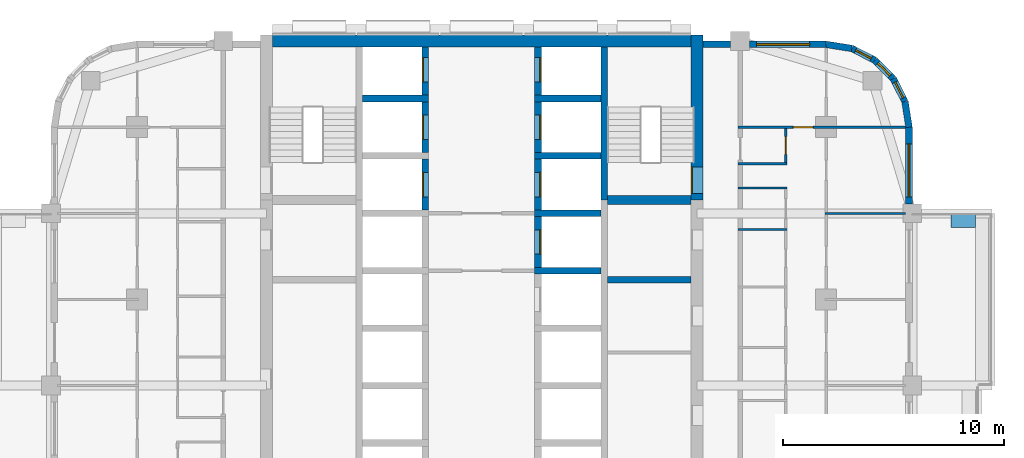
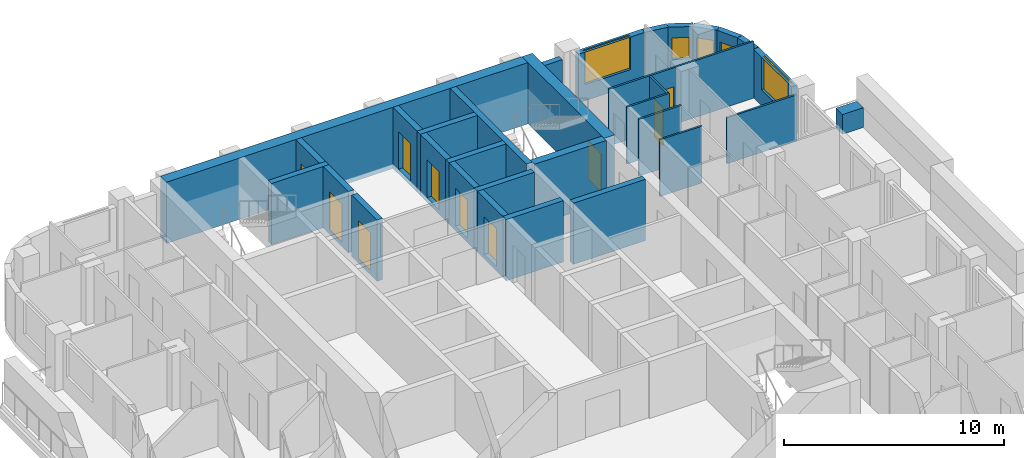
# One storey, part 8 of 12: 32 walls, 10 doors, 5 windows, 15 openings.
"""IFC4 building model written with IfcOpenShell, lengths in metres."""

from ifc_helpers import new_model, si_unit, direction, frame, frame_2d, origin, place, context, subcontext, project, spatial, rectangle, extrude, material, layer, layer_set, type_object, element, fill, save


model = new_model("IFC4")

# Units and contexts
model_context = context("Model", 3, precision=1e-05, world=origin(), true_north=direction((0.0, 1.0)))
body_context = subcontext(model_context, "Body", "Model", "MODEL_VIEW")
ifc_project = project(units=[si_unit("LENGTHUNIT", "METRE"), si_unit("AREAUNIT", "SQUARE_METRE"), si_unit("VOLUMEUNIT", "CUBIC_METRE"), si_unit("PLANEANGLEUNIT", "RADIAN"), si_unit("MASSUNIT", "GRAM", prefix="KILO")], contexts=[model_context])

# Site, building, storey
site_placement = place(None, origin())
site = spatial("IfcSite", under=ifc_project, at=site_placement, CompositionType="ELEMENT")
building_placement = place(site_placement, origin())
building = spatial("IfcBuilding", under=site, at=building_placement, Name="Ludao Terraces", CompositionType="ELEMENT")
storey_placement = place(building_placement, frame((0.0, 0.0, 137.300048828125)))
storey = spatial("IfcBuildingStorey", under=building, at=storey_placement, Name="L37", CompositionType="ELEMENT", Elevation=137.300048828125)

# Wall, opening, door
ifc_material_1 = material(Name="Concrete C60", Category="concrete")
ifc_layer_1 = layer(ifc_material_1, 0.550048828125)
ifc_layer_set_1 = layer_set([ifc_layer_1], Name="Core wall 550 C60")
wall_type_1 = type_object("IfcWallType", Name="Core wall 550 C60", PredefinedType="SOLIDWALL", material=ifc_layer_set_1)
wall_1_placement = place(storey_placement, frame((94.75, 77.300048828125, -0.25), z_axis=(0.0, 0.0, 1.0), x_axis=(0.0, 1.0, 0.0)))
wall_1 = element("IfcWall", 1, at=wall_1_placement, inside=storey, type_object=wall_type_1, Name="Core wall L37 outer-E-S2", PredefinedType="SOLIDWALL", context=body_context, shape_type="SweptSolid", body=[
    extrude(rectangle(XDim=7.474853515625, YDim=0.550048828125, at=frame_2d((3.7373046875, 0.0))), origin(), (0.0, 0.0, 1.0), 3.39990234375),
])
opening_1_placement = place(wall_1_placement, frame((0.300048828125, 0.0, 0.25)))
opening_1 = element("IfcOpeningElement", 2, at=opening_1_placement, cuts=wall_1, Name="Opening R12-065", PredefinedType="OPENING", context=body_context, shape_type="SweptSolid", body=[
    extrude(rectangle(XDim=1.199951171875, YDim=2.10009765625, at=frame_2d((0.60009765625, 1.050048828125))), frame((0.0, 0.28515625, 0.0), z_axis=(0.0, -1.0, 0.0), x_axis=(1.0, 0.0, 0.0)), (0.0, 0.0, 1.0), 0.570068359375),
])
ifc_material_2 = material(Name="Steel Q235", Category="steel")
door_type_1 = type_object("IfcDoorType", Name="INT Stair door 1200", OperationType="DOUBLE_DOOR_SINGLE_SWING", PredefinedType="DOOR", material=ifc_material_2)
door_1_placement = place(opening_1_placement, origin())
door_1 = element("IfcDoor", 3, at=door_1_placement, inside=storey, type_object=door_type_1, Name="DOOR 065", OperationType="DOUBLE_DOOR_SINGLE_SWING", OverallHeight=2.10009765625, OverallWidth=1.199951171875, PredefinedType="DOOR", context=body_context, shape_type="SweptSolid", body=[
    extrude(rectangle(XDim=1.199951171875, YDim=2.10009765625, at=frame_2d((0.60009765625, 1.050048828125))), frame((0.0, 0.26025390625, 0.0), z_axis=(0.0, -1.0, 0.0), x_axis=(1.0, 0.0, 0.0)), (0.0, 0.0, 1.0), 0.050048828125),
])
fill(opening_1, door_1)

# Walls
wall_2_placement = place(storey_placement, frame((75.52490234375, 84.5, -0.25), z_axis=(0.0, 0.0, 1.0), x_axis=(1.0, 0.0, 0.0)))
element("IfcWall", 4, at=wall_2_placement, inside=storey, type_object=wall_type_1, Name="Core wall L37 outer-N", PredefinedType="SOLIDWALL", context=body_context, shape_type="SweptSolid", body=[
    extrude(rectangle(XDim=18.9501953125, YDim=0.550048828125, at=frame_2d((9.47509765625, 0.0))), origin(), (0.0, 0.0, 1.0), 3.39990234375),
])
ifc_material_3 = material(Name="Concrete C40", Category="concrete")
ifc_layer_2 = layer(ifc_material_3, 0.60009765625)
ifc_layer_set_2 = layer_set([ifc_layer_2], Name="ENV Planter trough 600")
wall_type_2 = type_object("IfcWallType", Name="ENV Planter trough 600", PredefinedType="USERDEFINED", material=ifc_layer_set_2)
wall_3_placement = place(storey_placement, frame((107.35009765625, 76.35009765625, 0.0), z_axis=(0.0, 0.0, 1.0), x_axis=(-1.0, 0.0, 0.0)))
element("IfcWall", 5, at=wall_3_placement, inside=storey, type_object=wall_type_2, Name="PL-L37-E3-SB", ObjectType="PLANTER", PredefinedType="USERDEFINED", context=body_context, shape_type="SweptSolid", body=[
    extrude(rectangle(XDim=1.10009765625, YDim=0.60009765625, at=frame_2d((0.550048828125, 0.0))), origin(), (0.0, 0.0, 1.0), 1.099853515625),
])

# Wall, opening, window
ifc_material_4 = material(Name="Granite cladding", Category="masonry")
ifc_layer_3 = layer(ifc_material_4, 0.0400390625, Category="stone")
ifc_material_5 = material(Name="Mineral wool")
ifc_layer_4 = layer(ifc_material_5, 0.06005859375)
ifc_layer_5 = layer(ifc_material_3, 0.199951171875, Category="concrete")
ifc_layer_set_3 = layer_set([ifc_layer_3, ifc_layer_4, ifc_layer_5], Name="ENV Stone-clad wall 300")
wall_type_3 = type_object("IfcWallType", Name="ENV Stone-clad wall 300", PredefinedType="SOLIDWALL", material=ifc_layer_set_3)
wall_4_placement = place(storey_placement, frame((104.35009765625, 77.125, 0.0), z_axis=(0.0, 0.0, 1.0), x_axis=(0.0, 1.0, 0.0)))
wall_4 = element("IfcWall", 6, at=wall_4_placement, inside=storey, type_object=wall_type_3, Name="EW-L37-E5", PredefinedType="SOLIDWALL", context=body_context, shape_type="SweptSolid", body=[
    extrude(rectangle(XDim=3.47509765625, YDim=0.300048828125, at=frame_2d((1.737548828125, 0.0))), origin(), (0.0, 0.0, 1.0), 2.699951171875),
])
opening_2_placement = place(wall_4_placement, frame((0.324951171875, 0.0, 0.89990234375)))
opening_2 = element("IfcOpeningElement", 7, at=opening_2_placement, cuts=wall_4, Name="Opening W1", PredefinedType="OPENING", context=body_context, shape_type="SweptSolid", body=[
    extrude(rectangle(XDim=2.39990234375, YDim=1.800048828125, at=frame_2d((1.199951171875, 0.89990234375))), frame((0.0, 0.16015625, 0.0), z_axis=(0.0, -1.0, 0.0), x_axis=(1.0, 0.0, 0.0)), (0.0, 0.0, 1.0), 0.320068359375),
])
ifc_material_6 = material(Name="Clear glass in aluminium frame", Category="aluminium")
ifc_layer_6 = layer(ifc_material_6, 0.06005859375)
ifc_layer_set_4 = layer_set([ifc_layer_6], Name="ENV Window W1 2400x1800")
window_type_1 = type_object("IfcWindowType", Name="ENV Window W1 2400x1800", PartitioningType="DOUBLE_PANEL_VERTICAL", PredefinedType="WINDOW", material=ifc_layer_set_4)
window_1_placement = place(opening_2_placement, origin())
window_1 = element("IfcWindow", 8, at=window_1_placement, inside=storey, type_object=window_type_1, Name="W-L37-E5-1", OverallHeight=1.800048828125, OverallWidth=2.39990234375, PartitioningType="DOUBLE_PANEL_VERTICAL", PredefinedType="WINDOW", context=body_context, shape_type="SweptSolid", body=[
    extrude(rectangle(XDim=2.39990234375, YDim=1.800048828125, at=frame_2d((1.199951171875, 0.89990234375))), frame((0.0, 0.030029296875, 0.0), z_axis=(0.0, -1.0, 0.0), x_axis=(1.0, 0.0, 0.0)), (0.0, 0.0, 1.0), 0.06005859375),
])
fill(opening_2, window_1)

# Wall
wall_5_placement = place(storey_placement, frame((95.02490234375, 84.35009765625, 0.0), z_axis=(0.0, 0.0, 1.0), x_axis=(1.0, 0.0, 0.0)))
element("IfcWall", 9, at=wall_5_placement, inside=storey, type_object=wall_type_3, Name="EW-L37-N3", PredefinedType="SOLIDWALL", context=body_context, shape_type="SweptSolid", body=[
    extrude(rectangle(XDim=1.25, YDim=0.300048828125, at=frame_2d((0.625, 0.0))), origin(), (0.0, 0.0, 1.0), 2.699951171875),
])

# Wall, opening, window
wall_6_placement = place(storey_placement, frame((97.125, 84.35009765625, 0.0), z_axis=(0.0, 0.0, 1.0), x_axis=(1.0, 0.0, 0.0)))
wall_6 = element("IfcWall", 10, at=wall_6_placement, inside=storey, type_object=wall_type_3, Name="EW-L37-N4", PredefinedType="SOLIDWALL", context=body_context, shape_type="SweptSolid", body=[
    extrude(rectangle(XDim=3.47509765625, YDim=0.300048828125, at=frame_2d((1.737548828125, 0.0))), origin(), (0.0, 0.0, 1.0), 2.699951171875),
])
opening_3_placement = place(wall_6_placement, frame((0.324951171875, 0.0, 0.89990234375)))
opening_3 = element("IfcOpeningElement", 11, at=opening_3_placement, cuts=wall_6, Name="Opening W1", PredefinedType="OPENING", context=body_context, shape_type="SweptSolid", body=[
    extrude(rectangle(XDim=2.39990234375, YDim=1.800048828125, at=frame_2d((1.199951171875, 0.89990234375))), frame((0.0, 0.16015625, 0.0), z_axis=(0.0, -1.0, 0.0), x_axis=(1.0, 0.0, 0.0)), (0.0, 0.0, 1.0), 0.320068359375),
])
window_2_placement = place(opening_3_placement, origin())
window_2 = element("IfcWindow", 12, at=window_2_placement, inside=storey, type_object=window_type_1, Name="W-L37-N4-1", OverallHeight=1.800048828125, OverallWidth=2.39990234375, PartitioningType="DOUBLE_PANEL_VERTICAL", PredefinedType="WINDOW", context=body_context, shape_type="SweptSolid", body=[
    extrude(rectangle(XDim=2.39990234375, YDim=1.800048828125, at=frame_2d((1.199951171875, 0.89990234375))), frame((0.0, 0.030029296875, 0.0), z_axis=(0.0, -1.0, 0.0), x_axis=(1.0, 0.0, 0.0)), (0.0, 0.0, 1.0), 0.06005859375),
])
fill(opening_3, window_2)

# Wall
wall_7_placement = place(storey_placement, frame((104.35009765625, 80.60009765625, 0.0), z_axis=(0.0, 0.0, 1.0), x_axis=(-0.156496880861, 0.987678452879, 0.0)))
element("IfcWall", 13, at=wall_7_placement, inside=storey, type_object=wall_type_3, Name="EW-L37-NE1", PredefinedType="SOLIDWALL", context=body_context, shape_type="SweptSolid", body=[
    extrude(rectangle(XDim=1.173095703125, YDim=0.300048828125, at=frame_2d((0.58642578125, 0.0))), origin(), (0.0, 0.0, 1.0), 2.699951171875),
])

# Wall, opening, window
wall_8_placement = place(storey_placement, frame((104.16650390625, 81.7587890625, 0.0), z_axis=(0.0, 0.0, 1.0), x_axis=(-0.454025524128, 0.890988677504, 0.0)))
wall_8 = element("IfcWall", 14, at=wall_8_placement, inside=storey, type_object=wall_type_3, Name="EW-L37-NE2", PredefinedType="SOLIDWALL", context=body_context, shape_type="SweptSolid", body=[
    extrude(rectangle(XDim=1.17333984375, YDim=0.300048828125, at=frame_2d((0.586669921875, 0.0))), origin(), (0.0, 0.0, 1.0), 2.699951171875),
])
opening_4_placement = place(wall_8_placement, frame((0.1865234375, 0.0, 0.89990234375)))
opening_4 = element("IfcOpeningElement", 15, at=opening_4_placement, cuts=wall_8, Name="Opening W3", PredefinedType="OPENING", context=body_context, shape_type="SweptSolid", body=[
    extrude(rectangle(XDim=0.800048828125, YDim=1.199951171875, at=frame_2d((0.39990234375, 0.60009765625))), frame((0.0, 0.16015625, 0.0), z_axis=(0.0, -1.0, 0.0), x_axis=(1.0, 0.0, 0.0)), (0.0, 0.0, 1.0), 0.320068359375),
])
ifc_layer_7 = layer(ifc_material_6, 0.06005859375)
ifc_layer_set_5 = layer_set([ifc_layer_7], Name="ENV Window W3 800x1200")
window_type_2 = type_object("IfcWindowType", Name="ENV Window W3 800x1200", PartitioningType="SINGLE_PANEL", PredefinedType="WINDOW", material=ifc_layer_set_5)
window_3_placement = place(opening_4_placement, origin())
window_3 = element("IfcWindow", 16, at=window_3_placement, inside=storey, type_object=window_type_2, Name="W-L37-NE2", OverallHeight=1.199951171875, OverallWidth=0.800048828125, PartitioningType="SINGLE_PANEL", PredefinedType="WINDOW", context=body_context, shape_type="SweptSolid", body=[
    extrude(rectangle(XDim=0.800048828125, YDim=1.199951171875, at=frame_2d((0.39990234375, 0.60009765625))), frame((0.0, 0.030029296875, 0.0), z_axis=(0.0, -1.0, 0.0), x_axis=(1.0, 0.0, 0.0)), (0.0, 0.0, 1.0), 0.06005859375),
])
fill(opening_4, window_3)

wall_9_placement = place(storey_placement, frame((103.6337890625, 82.80419921875, 0.0), z_axis=(0.0, 0.0, 1.0), x_axis=(-0.707106781187, 0.707106781187, 0.0)))
wall_9 = element("IfcWall", 17, at=wall_9_placement, inside=storey, type_object=wall_type_3, Name="EW-L37-NE3", PredefinedType="SOLIDWALL", context=body_context, shape_type="SweptSolid", body=[
    extrude(rectangle(XDim=1.173095703125, YDim=0.300048828125, at=frame_2d((0.58642578125, 0.0))), origin(), (0.0, 0.0, 1.0), 2.699951171875),
])
opening_5_placement = place(wall_9_placement, frame((0.1865234375, 0.0, 0.89990234375)))
opening_5 = element("IfcOpeningElement", 18, at=opening_5_placement, cuts=wall_9, Name="Opening W3", PredefinedType="OPENING", context=body_context, shape_type="SweptSolid", body=[
    extrude(rectangle(XDim=0.800048828125, YDim=1.199951171875, at=frame_2d((0.39990234375, 0.60009765625))), frame((0.0, 0.16015625, 0.0), z_axis=(0.0, -1.0, 0.0), x_axis=(1.0, 0.0, 0.0)), (0.0, 0.0, 1.0), 0.320068359375),
])
window_4_placement = place(opening_5_placement, origin())
window_4 = element("IfcWindow", 19, at=window_4_placement, inside=storey, type_object=window_type_2, Name="W-L37-NE3", OverallHeight=1.199951171875, OverallWidth=0.800048828125, PartitioningType="SINGLE_PANEL", PredefinedType="WINDOW", context=body_context, shape_type="SweptSolid", body=[
    extrude(rectangle(XDim=0.800048828125, YDim=1.199951171875, at=frame_2d((0.39990234375, 0.60009765625))), frame((0.0, 0.030029296875, 0.0), z_axis=(0.0, -1.0, 0.0), x_axis=(1.0, 0.0, 0.0)), (0.0, 0.0, 1.0), 0.06005859375),
])
fill(opening_5, window_4)

wall_10_placement = place(storey_placement, frame((102.80419921875, 83.6337890625, 0.0), z_axis=(0.0, 0.0, 1.0), x_axis=(-0.890988677504, 0.454025524128, 0.0)))
wall_10 = element("IfcWall", 20, at=wall_10_placement, inside=storey, type_object=wall_type_3, Name="EW-L37-NE4", PredefinedType="SOLIDWALL", context=body_context, shape_type="SweptSolid", body=[
    extrude(rectangle(XDim=1.17333984375, YDim=0.300048828125, at=frame_2d((0.586669921875, 0.0))), origin(), (0.0, 0.0, 1.0), 2.699951171875),
])
opening_6_placement = place(wall_10_placement, frame((0.1865234375, 0.0, 0.89990234375)))
opening_6 = element("IfcOpeningElement", 21, at=opening_6_placement, cuts=wall_10, Name="Opening W3", PredefinedType="OPENING", context=body_context, shape_type="SweptSolid", body=[
    extrude(rectangle(XDim=0.800048828125, YDim=1.199951171875, at=frame_2d((0.39990234375, 0.60009765625))), frame((0.0, 0.16015625, 0.0), z_axis=(0.0, -1.0, 0.0), x_axis=(1.0, 0.0, 0.0)), (0.0, 0.0, 1.0), 0.320068359375),
])
window_5_placement = place(opening_6_placement, origin())
window_5 = element("IfcWindow", 22, at=window_5_placement, inside=storey, type_object=window_type_2, Name="W-L37-NE4", OverallHeight=1.199951171875, OverallWidth=0.800048828125, PartitioningType="SINGLE_PANEL", PredefinedType="WINDOW", context=body_context, shape_type="SweptSolid", body=[
    extrude(rectangle(XDim=0.800048828125, YDim=1.199951171875, at=frame_2d((0.39990234375, 0.60009765625))), frame((0.0, 0.030029296875, 0.0), z_axis=(0.0, -1.0, 0.0), x_axis=(1.0, 0.0, 0.0)), (0.0, 0.0, 1.0), 0.06005859375),
])
fill(opening_6, window_5)

# Walls
wall_11_placement = place(storey_placement, frame((101.7587890625, 84.16650390625, 0.0), z_axis=(0.0, 0.0, 1.0), x_axis=(-0.987678452879, 0.156496880861, 0.0)))
element("IfcWall", 23, at=wall_11_placement, inside=storey, type_object=wall_type_3, Name="EW-L37-NE5", PredefinedType="SOLIDWALL", context=body_context, shape_type="SweptSolid", body=[
    extrude(rectangle(XDim=1.173095703125, YDim=0.300048828125, at=frame_2d((0.58642578125, 0.0))), origin(), (0.0, 0.0, 1.0), 2.699951171875),
])
ifc_material_7 = material(Name="Gypsum plasterboard", Category="gypsum")
ifc_layer_8 = layer(ifc_material_7, 0.012451171875, Category="gypsum")
ifc_layer_9 = layer(ifc_material_5, 0.06005859375, Name="insulation")
ifc_layer_10 = layer(ifc_material_2, 0.014892578125, Name="stud")
ifc_layer_11 = layer(ifc_material_7, 0.012451171875, Category="gypsum")
ifc_layer_set_6 = layer_set([ifc_layer_8, ifc_layer_9, ifc_layer_10, ifc_layer_11], Name="INT Partition 100")
wall_type_4 = type_object("IfcWallType", Name="INT Partition 100", PredefinedType="PARTITIONING", material=ifc_layer_set_6)
wall_12_placement = place(storey_placement, frame((96.60009765625, 75.969970703125, 0.0), z_axis=(0.0, 0.0, 1.0), x_axis=(1.0, 0.0, 0.0)))
element("IfcWall", 24, at=wall_12_placement, inside=storey, type_object=wall_type_4, Name="PW-L37-PW037", PredefinedType="PARTITIONING", context=body_context, shape_type="SweptSolid", body=[
    extrude(rectangle(XDim=2.219970703125, YDim=0.10009765625, at=frame_2d((1.10986328125, 0.0))), origin(), (0.0, 0.0, 1.0), 3.14990234375),
])
wall_13_placement = place(storey_placement, frame((100.550048828125, 76.699951171875, 0.0), z_axis=(0.0, 0.0, 1.0), x_axis=(1.0, 0.0, 0.0)))
element("IfcWall", 25, at=wall_13_placement, inside=storey, type_object=wall_type_4, Name="PW-L37-PW041", PredefinedType="PARTITIONING", context=body_context, shape_type="SweptSolid", body=[
    extrude(rectangle(XDim=3.650146484375, YDim=0.10009765625, at=frame_2d((1.8251953125, 0.0))), origin(), (0.0, 0.0, 1.0), 2.5498046875),
])
for number, where, z_axis, x_axis, name in (
    (26, (96.60009765625, 77.85009765625, 0.0), (0.0, 0.0, 1.0), (1.0, 0.0, 0.0), "PW-L37-PW042"),
    (27, (96.60009765625, 78.949951171875, 0.0), (0.0, 0.0, 1.0), (1.0, 0.0, 0.0), "PW-L37-PW044"),
):
    element("IfcWall", number, at=place(storey_placement, frame(where, z_axis=z_axis, x_axis=x_axis)), inside=storey, type_object=wall_type_4, Name=name, PredefinedType="PARTITIONING", context=body_context, shape_type="SweptSolid", body=[
        extrude(rectangle(XDim=2.219970703125, YDim=0.10009765625, at=frame_2d((1.10986328125, 0.0))), origin(), (0.0, 0.0, 1.0), 3.14990234375),
    ])

# Wall, opening, door
wall_14_placement = place(storey_placement, frame((96.60009765625, 80.60009765625, 0.0), z_axis=(0.0, 0.0, 1.0), x_axis=(1.0, 0.0, 0.0)))
wall_14 = element("IfcWall", 28, at=wall_14_placement, inside=storey, type_object=wall_type_4, Name="PW-L37-PW046", PredefinedType="PARTITIONING", context=body_context, shape_type="SweptSolid", body=[
    extrude(rectangle(XDim=7.60009765625, YDim=0.10009765625, at=frame_2d((3.800048828125, 0.0))), origin(), (0.0, 0.0, 1.0), 3.14990234375),
])
opening_7_placement = place(wall_14_placement, frame((2.510009765625, 0.0, 0.0)))
opening_7 = element("IfcOpeningElement", 29, at=opening_7_placement, cuts=wall_14, Name="Opening R12-074", PredefinedType="OPENING", context=body_context, shape_type="SweptSolid", body=[
    extrude(rectangle(XDim=0.89990234375, YDim=2.10009765625, at=frame_2d((0.449951171875, 1.050048828125))), frame((0.0, 0.06005859375, 0.0), z_axis=(0.0, -1.0, 0.0), x_axis=(1.0, 0.0, 0.0)), (0.0, 0.0, 1.0), 0.1201171875),
])
ifc_material_8 = material(Name="Timber door leaf", Category="wood")
door_type_2 = type_object("IfcDoorType", Name="INT Room door 900", OperationType="SINGLE_SWING_LEFT", PredefinedType="DOOR", material=ifc_material_8)
door_2_placement = place(opening_7_placement, origin())
door_2 = element("IfcDoor", 30, at=door_2_placement, inside=storey, type_object=door_type_2, Name="DOOR 074", OperationType="SINGLE_SWING_RIGHT", OverallHeight=2.10009765625, OverallWidth=0.89990234375, PredefinedType="DOOR", context=body_context, shape_type="SweptSolid", body=[
    extrude(rectangle(XDim=0.89990234375, YDim=2.10009765625, at=frame_2d((0.449951171875, 1.050048828125))), frame((0.0, 0.02490234375, 0.0), z_axis=(0.0, -1.0, 0.0), x_axis=(1.0, 0.0, 0.0)), (0.0, 0.0, 1.0), 0.050048828125),
])
fill(opening_7, door_2)

wall_15_placement = place(storey_placement, frame((98.77001953125, 79.0, 0.0), z_axis=(0.0, 0.0, 1.0), x_axis=(0.0, 1.0, 0.0)))
wall_15 = element("IfcWall", 31, at=wall_15_placement, inside=storey, type_object=wall_type_4, Name="PW-L37-PW059", PredefinedType="PARTITIONING", context=body_context, shape_type="SweptSolid", body=[
    extrude(rectangle(XDim=1.550048828125, YDim=0.10009765625, at=frame_2d((0.77490234375, 0.0))), origin(), (0.0, 0.0, 1.0), 3.14990234375),
])
opening_8_placement = place(wall_15_placement, frame((0.375, 0.0, 0.0)))
opening_8 = element("IfcOpeningElement", 32, at=opening_8_placement, cuts=wall_15, Name="Opening R12-070", PredefinedType="OPENING", context=body_context, shape_type="SweptSolid", body=[
    extrude(rectangle(XDim=0.800048828125, YDim=2.10009765625, at=frame_2d((0.39990234375, 1.050048828125))), frame((0.0, 0.06005859375, 0.0), z_axis=(0.0, -1.0, 0.0), x_axis=(1.0, 0.0, 0.0)), (0.0, 0.0, 1.0), 0.1201171875),
])
door_type_3 = type_object("IfcDoorType", Name="INT Store door 800", OperationType="SINGLE_SWING_LEFT", PredefinedType="DOOR", material=ifc_material_8)
door_3_placement = place(opening_8_placement, origin())
door_3 = element("IfcDoor", 33, at=door_3_placement, inside=storey, type_object=door_type_3, Name="DOOR 070", OperationType="SINGLE_SWING_RIGHT", OverallHeight=2.10009765625, OverallWidth=0.800048828125, PredefinedType="DOOR", context=body_context, shape_type="SweptSolid", body=[
    extrude(rectangle(XDim=0.800048828125, YDim=2.10009765625, at=frame_2d((0.39990234375, 1.050048828125))), frame((0.0, 0.02490234375, 0.0), z_axis=(0.0, -1.0, 0.0), x_axis=(1.0, 0.0, 0.0)), (0.0, 0.0, 1.0), 0.050048828125),
])
fill(opening_8, door_3)

# Wall
ifc_material_9 = material(Name="Concrete C55", Category="concrete")
ifc_layer_12 = layer(ifc_material_9, 0.300048828125)
ifc_layer_set_7 = layer_set([ifc_layer_12], Name="Shaft wall 300 C55")
wall_type_5 = type_object("IfcWallType", Name="Shaft wall 300 C55", PredefinedType="SOLIDWALL", material=ifc_layer_set_7)
wall_16_placement = place(storey_placement, frame((90.550048828125, 77.300048828125, -0.25), z_axis=(0.0, 0.0, 1.0), x_axis=(0.0, 1.0, 0.0)))
element("IfcWall", 34, at=wall_16_placement, inside=storey, type_object=wall_type_5, Name="Core wall L37 back-E-S2", PredefinedType="SOLIDWALL", context=body_context, shape_type="SweptSolid", body=[
    extrude(rectangle(XDim=6.925048828125, YDim=0.300048828125, at=frame_2d((3.46240234375, 0.0))), origin(), (0.0, 0.0, 1.0), 3.39990234375),
])

# Wall, opening, door
wall_17_placement = place(storey_placement, frame((82.449951171875, 76.85009765625, -0.25), z_axis=(0.0, 0.0, 1.0), x_axis=(0.0, 1.0, 0.0)))
wall_17 = element("IfcWall", 35, at=wall_17_placement, inside=storey, type_object=wall_type_5, Name="Core wall L37 front-W7", PredefinedType="SOLIDWALL", context=body_context, shape_type="SweptSolid", body=[
    extrude(rectangle(XDim=2.2998046875, YDim=0.300048828125, at=frame_2d((1.14990234375, 0.0))), origin(), (0.0, 0.0, 1.0), 3.39990234375),
])
opening_9_placement = place(wall_17_placement, frame((0.60009765625, 0.0, 0.25)))
opening_9 = element("IfcOpeningElement", 36, at=opening_9_placement, cuts=wall_17, Name="Opening LD-FF1", PredefinedType="OPENING", context=body_context, shape_type="SweptSolid", body=[
    extrude(rectangle(XDim=1.10009765625, YDim=2.10009765625, at=frame_2d((0.550048828125, 1.050048828125))), frame((0.0, 0.16015625, 0.0), z_axis=(0.0, -1.0, 0.0), x_axis=(1.0, 0.0, 0.0)), (0.0, 0.0, 1.0), 0.320068359375),
])
ifc_material_10 = material(Name="Stainless steel 304", Category="steel")
door_type_4 = type_object("IfcDoorType", Name="INT Lift landing door 1100", OperationType="SLIDING_TO_LEFT", PredefinedType="DOOR", material=ifc_material_10)
door_4_placement = place(opening_9_placement, origin())
door_4 = element("IfcDoor", 37, at=door_4_placement, inside=storey, type_object=door_type_4, Name="LANDING DOOR FF1 L37", OperationType="SLIDING_TO_LEFT", OverallHeight=2.10009765625, OverallWidth=1.10009765625, PredefinedType="DOOR", context=body_context, shape_type="SweptSolid", body=[
    extrude(rectangle(XDim=1.10009765625, YDim=2.10009765625, at=frame_2d((0.550048828125, 1.050048828125))), frame((0.0, 0.13525390625, 0.0), z_axis=(0.0, -1.0, 0.0), x_axis=(1.0, 0.0, 0.0)), (0.0, 0.0, 1.0), 0.050048828125),
])
fill(opening_9, door_4)

wall_18_placement = place(storey_placement, frame((82.449951171875, 79.449951171875, -0.25), z_axis=(0.0, 0.0, 1.0), x_axis=(0.0, 1.0, 0.0)))
wall_18 = element("IfcWall", 38, at=wall_18_placement, inside=storey, type_object=wall_type_5, Name="Core wall L37 front-W8", PredefinedType="SOLIDWALL", context=body_context, shape_type="SweptSolid", body=[
    extrude(rectangle(XDim=2.300048828125, YDim=0.300048828125, at=frame_2d((1.14990234375, 0.0))), origin(), (0.0, 0.0, 1.0), 3.39990234375),
])
opening_10_placement = place(wall_18_placement, frame((0.60009765625, 0.0, 0.25)))
opening_10 = element("IfcOpeningElement", 39, at=opening_10_placement, cuts=wall_18, Name="Opening LD-FF2", PredefinedType="OPENING", context=body_context, shape_type="SweptSolid", body=[
    extrude(rectangle(XDim=1.10009765625, YDim=2.10009765625, at=frame_2d((0.550048828125, 1.050048828125))), frame((0.0, 0.16015625, 0.0), z_axis=(0.0, -1.0, 0.0), x_axis=(1.0, 0.0, 0.0)), (0.0, 0.0, 1.0), 0.320068359375),
])
door_5_placement = place(opening_10_placement, origin())
door_5 = element("IfcDoor", 40, at=door_5_placement, inside=storey, type_object=door_type_4, Name="LANDING DOOR FF2 L37", OperationType="SLIDING_TO_LEFT", OverallHeight=2.10009765625, OverallWidth=1.10009765625, PredefinedType="DOOR", context=body_context, shape_type="SweptSolid", body=[
    extrude(rectangle(XDim=1.10009765625, YDim=2.10009765625, at=frame_2d((0.550048828125, 1.050048828125))), frame((0.0, 0.13525390625, 0.0), z_axis=(0.0, -1.0, 0.0), x_axis=(1.0, 0.0, 0.0)), (0.0, 0.0, 1.0), 0.050048828125),
])
fill(opening_10, door_5)

# Wall
wall_19_placement = place(storey_placement, frame((79.60009765625, 81.89990234375, -0.25), z_axis=(0.0, 0.0, 1.0), x_axis=(1.0, 0.0, 0.0)))
element("IfcWall", 41, at=wall_19_placement, inside=storey, type_object=wall_type_5, Name="Core wall L37 div-W9", PredefinedType="SOLIDWALL", context=body_context, shape_type="SweptSolid", body=[
    extrude(rectangle(XDim=3.0, YDim=0.300048828125, at=frame_2d((1.5, 0.0))), origin(), (0.0, 0.0, 1.0), 3.39990234375),
])

# Wall, opening, door
wall_20_placement = place(storey_placement, frame((82.449951171875, 82.050048828125, -0.25), z_axis=(0.0, 0.0, 1.0), x_axis=(0.0, 1.0, 0.0)))
wall_20 = element("IfcWall", 42, at=wall_20_placement, inside=storey, type_object=wall_type_5, Name="Core wall L37 front-W9", PredefinedType="SOLIDWALL", context=body_context, shape_type="SweptSolid", body=[
    extrude(rectangle(XDim=2.175048828125, YDim=0.300048828125, at=frame_2d((1.08740234375, 0.0))), origin(), (0.0, 0.0, 1.0), 3.39990234375),
])
opening_11_placement = place(wall_20_placement, frame((0.60009765625, 0.0, 0.25)))
opening_11 = element("IfcOpeningElement", 43, at=opening_11_placement, cuts=wall_20, Name="Opening LD-LB6", PredefinedType="OPENING", context=body_context, shape_type="SweptSolid", body=[
    extrude(rectangle(XDim=1.10009765625, YDim=2.10009765625, at=frame_2d((0.550048828125, 1.050048828125))), frame((0.0, 0.16015625, 0.0), z_axis=(0.0, -1.0, 0.0), x_axis=(1.0, 0.0, 0.0)), (0.0, 0.0, 1.0), 0.320068359375),
])
door_6_placement = place(opening_11_placement, origin())
door_6 = element("IfcDoor", 44, at=door_6_placement, inside=storey, type_object=door_type_4, Name="LANDING DOOR LB6 L37", OperationType="SLIDING_TO_RIGHT", OverallHeight=2.10009765625, OverallWidth=1.10009765625, PredefinedType="DOOR", context=body_context, shape_type="SweptSolid", body=[
    extrude(rectangle(XDim=1.10009765625, YDim=2.10009765625, at=frame_2d((0.550048828125, 1.050048828125))), frame((0.0, 0.13525390625, 0.0), z_axis=(0.0, -1.0, 0.0), x_axis=(1.0, 0.0, 0.0)), (0.0, 0.0, 1.0), 0.050048828125),
])
fill(opening_11, door_6)

# Wall
wall_21_placement = place(storey_placement, frame((87.39990234375, 74.10009765625, -0.25), z_axis=(0.0, 0.0, 1.0), x_axis=(1.0, 0.0, 0.0)))
element("IfcWall", 45, at=wall_21_placement, inside=storey, type_object=wall_type_5, Name="Core wall L37 div-E6", PredefinedType="SOLIDWALL", context=body_context, shape_type="SweptSolid", body=[
    extrude(rectangle(XDim=3.0, YDim=0.300048828125, at=frame_2d((1.5, 0.0))), origin(), (0.0, 0.0, 1.0), 3.39990234375),
])

# Wall, opening, door
wall_22_placement = place(storey_placement, frame((87.550048828125, 74.25, -0.25), z_axis=(0.0, 0.0, 1.0), x_axis=(0.0, 1.0, 0.0)))
wall_22 = element("IfcWall", 46, at=wall_22_placement, inside=storey, type_object=wall_type_5, Name="Core wall L37 front-E6", PredefinedType="SOLIDWALL", context=body_context, shape_type="SweptSolid", body=[
    extrude(rectangle(XDim=2.300048828125, YDim=0.300048828125, at=frame_2d((1.14990234375, 0.0))), origin(), (0.0, 0.0, 1.0), 3.39990234375),
])
opening_12_placement = place(wall_22_placement, frame((0.60009765625, 0.0, 0.25)))
opening_12 = element("IfcOpeningElement", 47, at=opening_12_placement, cuts=wall_22, Name="Opening LD-LB2", PredefinedType="OPENING", context=body_context, shape_type="SweptSolid", body=[
    extrude(rectangle(XDim=1.10009765625, YDim=2.10009765625, at=frame_2d((0.550048828125, 1.050048828125))), frame((0.0, 0.16015625, 0.0), z_axis=(0.0, -1.0, 0.0), x_axis=(1.0, 0.0, 0.0)), (0.0, 0.0, 1.0), 0.320068359375),
])
door_7_placement = place(opening_12_placement, origin())
door_7 = element("IfcDoor", 48, at=door_7_placement, inside=storey, type_object=door_type_4, Name="LANDING DOOR LB2 L37", OperationType="SLIDING_TO_LEFT", OverallHeight=2.10009765625, OverallWidth=1.10009765625, PredefinedType="DOOR", context=body_context, shape_type="SweptSolid", body=[
    extrude(rectangle(XDim=1.10009765625, YDim=2.10009765625, at=frame_2d((0.550048828125, 1.050048828125))), frame((0.0, -0.0849609375, 0.0), z_axis=(0.0, -1.0, 0.0), x_axis=(1.0, 0.0, 0.0)), (0.0, 0.0, 1.0), 0.050048828125),
])
fill(opening_12, door_7)

# Wall
wall_23_placement = place(storey_placement, frame((87.39990234375, 76.699951171875, -0.25), z_axis=(0.0, 0.0, 1.0), x_axis=(1.0, 0.0, 0.0)))
element("IfcWall", 49, at=wall_23_placement, inside=storey, type_object=wall_type_5, Name="Core wall L37 div-E7", PredefinedType="SOLIDWALL", context=body_context, shape_type="SweptSolid", body=[
    extrude(rectangle(XDim=3.0, YDim=0.300048828125, at=frame_2d((1.5, 0.0))), origin(), (0.0, 0.0, 1.0), 3.39990234375),
])

# Wall, opening, door
wall_24_placement = place(storey_placement, frame((87.550048828125, 76.85009765625, -0.25), z_axis=(0.0, 0.0, 1.0), x_axis=(0.0, 1.0, 0.0)))
wall_24 = element("IfcWall", 50, at=wall_24_placement, inside=storey, type_object=wall_type_5, Name="Core wall L37 front-E7", PredefinedType="SOLIDWALL", context=body_context, shape_type="SweptSolid", body=[
    extrude(rectangle(XDim=2.2998046875, YDim=0.300048828125, at=frame_2d((1.14990234375, 0.0))), origin(), (0.0, 0.0, 1.0), 3.39990234375),
])
opening_13_placement = place(wall_24_placement, frame((0.60009765625, 0.0, 0.25)))
opening_13 = element("IfcOpeningElement", 51, at=opening_13_placement, cuts=wall_24, Name="Opening LD-LB3", PredefinedType="OPENING", context=body_context, shape_type="SweptSolid", body=[
    extrude(rectangle(XDim=1.10009765625, YDim=2.10009765625, at=frame_2d((0.550048828125, 1.050048828125))), frame((0.0, 0.16015625, 0.0), z_axis=(0.0, -1.0, 0.0), x_axis=(1.0, 0.0, 0.0)), (0.0, 0.0, 1.0), 0.320068359375),
])
door_8_placement = place(opening_13_placement, origin())
door_8 = element("IfcDoor", 52, at=door_8_placement, inside=storey, type_object=door_type_4, Name="LANDING DOOR LB3 L37", OperationType="SLIDING_TO_LEFT", OverallHeight=2.10009765625, OverallWidth=1.10009765625, PredefinedType="DOOR", context=body_context, shape_type="SweptSolid", body=[
    extrude(rectangle(XDim=1.10009765625, YDim=2.10009765625, at=frame_2d((0.550048828125, 1.050048828125))), frame((0.0, -0.0849609375, 0.0), z_axis=(0.0, -1.0, 0.0), x_axis=(1.0, 0.0, 0.0)), (0.0, 0.0, 1.0), 0.050048828125),
])
fill(opening_13, door_8)

# Wall
wall_25_placement = place(storey_placement, frame((87.39990234375, 79.300048828125, -0.25), z_axis=(0.0, 0.0, 1.0), x_axis=(1.0, 0.0, 0.0)))
element("IfcWall", 53, at=wall_25_placement, inside=storey, type_object=wall_type_5, Name="Core wall L37 div-E8", PredefinedType="SOLIDWALL", context=body_context, shape_type="SweptSolid", body=[
    extrude(rectangle(XDim=3.0, YDim=0.300048828125, at=frame_2d((1.5, 0.0))), origin(), (0.0, 0.0, 1.0), 3.39990234375),
])

# Wall, opening, door
wall_26_placement = place(storey_placement, frame((87.550048828125, 79.449951171875, -0.25), z_axis=(0.0, 0.0, 1.0), x_axis=(0.0, 1.0, 0.0)))
wall_26 = element("IfcWall", 54, at=wall_26_placement, inside=storey, type_object=wall_type_5, Name="Core wall L37 front-E8", PredefinedType="SOLIDWALL", context=body_context, shape_type="SweptSolid", body=[
    extrude(rectangle(XDim=2.300048828125, YDim=0.300048828125, at=frame_2d((1.14990234375, 0.0))), origin(), (0.0, 0.0, 1.0), 3.39990234375),
])
opening_14_placement = place(wall_26_placement, frame((0.60009765625, 0.0, 0.25)))
opening_14 = element("IfcOpeningElement", 55, at=opening_14_placement, cuts=wall_26, Name="Opening LD-LB4", PredefinedType="OPENING", context=body_context, shape_type="SweptSolid", body=[
    extrude(rectangle(XDim=1.10009765625, YDim=2.10009765625, at=frame_2d((0.550048828125, 1.050048828125))), frame((0.0, 0.16015625, 0.0), z_axis=(0.0, -1.0, 0.0), x_axis=(1.0, 0.0, 0.0)), (0.0, 0.0, 1.0), 0.320068359375),
])
door_9_placement = place(opening_14_placement, origin())
door_9 = element("IfcDoor", 56, at=door_9_placement, inside=storey, type_object=door_type_4, Name="LANDING DOOR LB4 L37", OperationType="SLIDING_TO_RIGHT", OverallHeight=2.10009765625, OverallWidth=1.10009765625, PredefinedType="DOOR", context=body_context, shape_type="SweptSolid", body=[
    extrude(rectangle(XDim=1.10009765625, YDim=2.10009765625, at=frame_2d((0.550048828125, 1.050048828125))), frame((0.0, -0.0849609375, 0.0), z_axis=(0.0, -1.0, 0.0), x_axis=(1.0, 0.0, 0.0)), (0.0, 0.0, 1.0), 0.050048828125),
])
fill(opening_14, door_9)

# Wall
wall_27_placement = place(storey_placement, frame((87.39990234375, 81.89990234375, -0.25), z_axis=(0.0, 0.0, 1.0), x_axis=(1.0, 0.0, 0.0)))
element("IfcWall", 57, at=wall_27_placement, inside=storey, type_object=wall_type_5, Name="Core wall L37 div-E9", PredefinedType="SOLIDWALL", context=body_context, shape_type="SweptSolid", body=[
    extrude(rectangle(XDim=3.0, YDim=0.300048828125, at=frame_2d((1.5, 0.0))), origin(), (0.0, 0.0, 1.0), 3.39990234375),
])

# Wall, opening, door
wall_28_placement = place(storey_placement, frame((87.550048828125, 82.050048828125, -0.25), z_axis=(0.0, 0.0, 1.0), x_axis=(0.0, 1.0, 0.0)))
wall_28 = element("IfcWall", 58, at=wall_28_placement, inside=storey, type_object=wall_type_5, Name="Core wall L37 front-E9", PredefinedType="SOLIDWALL", context=body_context, shape_type="SweptSolid", body=[
    extrude(rectangle(XDim=2.175048828125, YDim=0.300048828125, at=frame_2d((1.08740234375, 0.0))), origin(), (0.0, 0.0, 1.0), 3.39990234375),
])
opening_15_placement = place(wall_28_placement, frame((0.60009765625, 0.0, 0.25)))
opening_15 = element("IfcOpeningElement", 59, at=opening_15_placement, cuts=wall_28, Name="Opening LD-LB5", PredefinedType="OPENING", context=body_context, shape_type="SweptSolid", body=[
    extrude(rectangle(XDim=1.10009765625, YDim=2.10009765625, at=frame_2d((0.550048828125, 1.050048828125))), frame((0.0, 0.16015625, 0.0), z_axis=(0.0, -1.0, 0.0), x_axis=(1.0, 0.0, 0.0)), (0.0, 0.0, 1.0), 0.320068359375),
])
door_10_placement = place(opening_15_placement, origin())
door_10 = element("IfcDoor", 60, at=door_10_placement, inside=storey, type_object=door_type_4, Name="LANDING DOOR LB5 L37", OperationType="SLIDING_TO_RIGHT", OverallHeight=2.10009765625, OverallWidth=1.10009765625, PredefinedType="DOOR", context=body_context, shape_type="SweptSolid", body=[
    extrude(rectangle(XDim=1.10009765625, YDim=2.10009765625, at=frame_2d((0.550048828125, 1.050048828125))), frame((0.0, -0.0849609375, 0.0), z_axis=(0.0, -1.0, 0.0), x_axis=(1.0, 0.0, 0.0)), (0.0, 0.0, 1.0), 0.050048828125),
])
fill(opening_15, door_10)

# Walls
wall_29_placement = place(storey_placement, frame((90.699951171875, 73.699951171875, -0.25), z_axis=(0.0, 0.0, 1.0), x_axis=(1.0, 0.0, 0.0)))
element("IfcWall", 61, at=wall_29_placement, inside=storey, type_object=wall_type_5, Name="Core wall L37 riser-b-E", PredefinedType="SOLIDWALL", context=body_context, shape_type="SweptSolid", body=[
    extrude(rectangle(XDim=3.775146484375, YDim=0.300048828125, at=frame_2d((1.8876953125, 0.0))), origin(), (0.0, 0.0, 1.0), 3.39990234375),
])
ifc_layer_13 = layer(ifc_material_9, 0.39990234375)
ifc_layer_set_8 = layer_set([ifc_layer_13], Name="Shaft wall 400 C55")
wall_type_6 = type_object("IfcWallType", Name="Shaft wall 400 C55", PredefinedType="SOLIDWALL", material=ifc_layer_set_8)
wall_30_placement = place(storey_placement, frame((90.699951171875, 77.300048828125, -0.25), z_axis=(0.0, 0.0, 1.0), x_axis=(1.0, 0.0, 0.0)))
element("IfcWall", 62, at=wall_30_placement, inside=storey, type_object=wall_type_6, Name="Core wall L37 stair-E", PredefinedType="SOLIDWALL", context=body_context, shape_type="SweptSolid", body=[
    extrude(rectangle(XDim=3.775146484375, YDim=0.39990234375, at=frame_2d((1.8876953125, 0.0))), origin(), (0.0, 0.0, 1.0), 3.39990234375),
])

save(model, "model.ifc")
